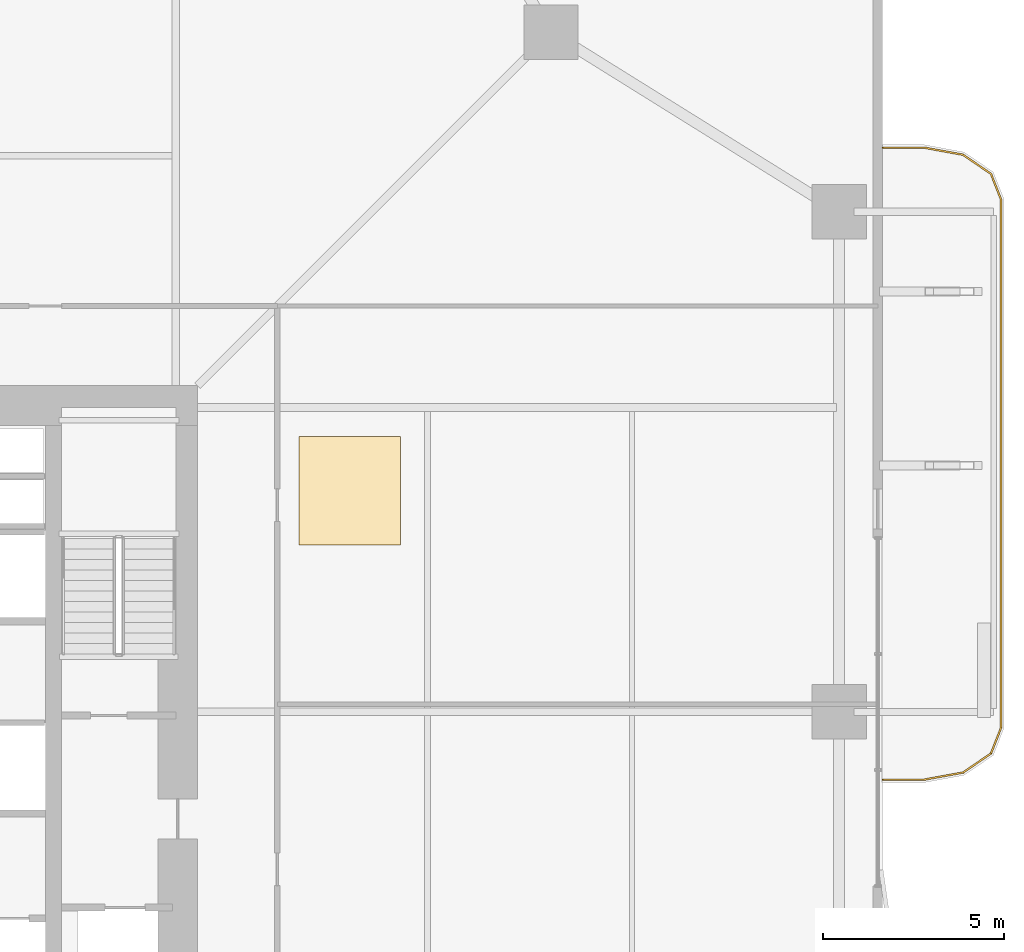
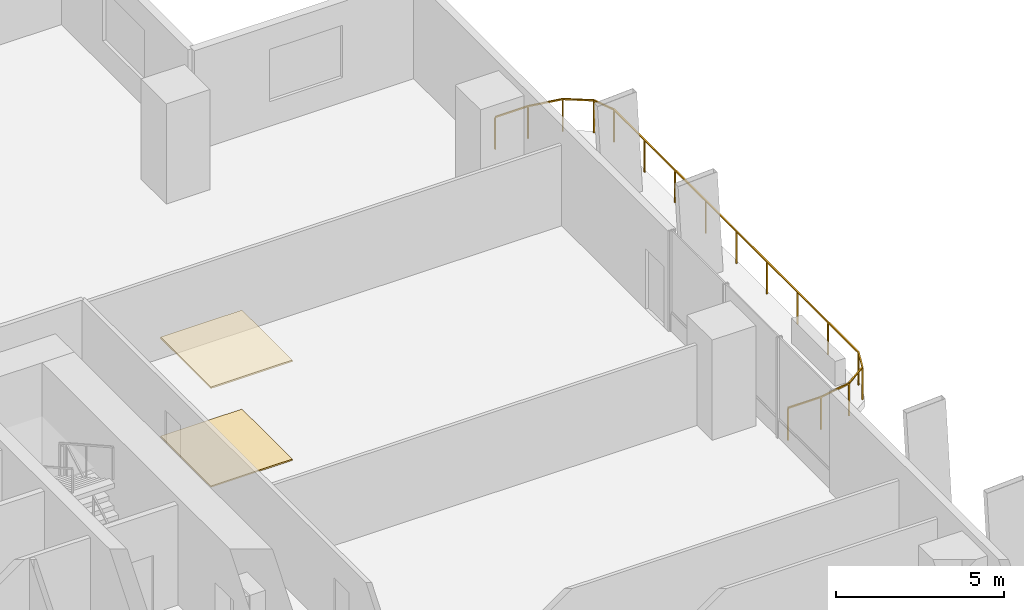
# One storey, part 23 of 23: 2 coverings, 1 railing.
"""IFC4 building model written with IfcOpenShell, lengths in metres."""

from ifc_helpers import new_model, si_unit, direction, frame, origin, origin_2d, place, context, subcontext, project, spatial, polyline, rectangle, outline, extrude, material, layer, layer_set, type_object, element, save


model = new_model("IFC4")

# Units and contexts
model_context = context("Model", 3, precision=1e-05, world=origin(), true_north=direction((0.0, 1.0)))
body_context = subcontext(model_context, "Body", "Model", "MODEL_VIEW")
ifc_project = project(units=[si_unit("LENGTHUNIT", "METRE"), si_unit("AREAUNIT", "SQUARE_METRE"), si_unit("VOLUMEUNIT", "CUBIC_METRE"), si_unit("PLANEANGLEUNIT", "RADIAN"), si_unit("MASSUNIT", "GRAM", prefix="KILO")], contexts=[model_context])

# Site, building, storey
site_placement = place(None, origin())
site = spatial("IfcSite", under=ifc_project, at=site_placement, CompositionType="ELEMENT")
building_placement = place(site_placement, origin())
building = spatial("IfcBuilding", under=site, at=building_placement, Name="Belovzor Exchange Tower", CompositionType="ELEMENT")
storey_placement = place(building_placement, frame((0.0, 0.0, 57.300048828125)))
storey = spatial("IfcBuildingStorey", under=building, at=storey_placement, Name="L13", CompositionType="ELEMENT", Elevation=57.300048828125)

# Railing
ifc_material_1 = material(Name="Stainless Steel and Laminated Safety Glass", Category="steel")
railing_type = type_object("IfcRailingType", Name="Laminated Glass & Stainless Steel Balcony Balustrade 1200", PredefinedType="BALUSTRADE", material=ifc_material_1)
railing_placement = place(storey_placement, frame((56.7099609375, 26.929931640625, 0.0)))
element("IfcRailing", 1, at=railing_placement, inside=storey, type_object=railing_type, Name="GR-1 Balcony Balustrade L13 East", PredefinedType="BALUSTRADE", context=body_context, shape_type="SweptSolid", body=[
    extrude(rectangle(XDim=0.048095703125, YDim=0.048095703125, at=origin_2d()), frame((0.0, 0.0, 1.17578125), z_axis=(1.0, 0.0, 0.0), x_axis=(0.0, 1.0, 0.0)), (0.0, 0.0, 1.0), 1.133056640625),
    extrude(rectangle(XDim=0.048095703125, YDim=0.048095703125, at=origin_2d()), frame((1.133056640625, 0.0, 1.17578125), z_axis=(0.983644145941, 0.180122719713, 0.0), x_axis=(-0.180122719713, 0.983644145941, 0.0)), (0.0, 0.0, 1.0), 1.09375),
    extrude(rectangle(XDim=0.048095703125, YDim=0.048095703125, at=origin_2d()), frame((2.208984375, 0.197021484375, 1.17578125), z_axis=(0.826493025367, 0.56294695933, 0.0), x_axis=(-0.56294695933, 0.826493025367, 0.0)), (0.0, 0.0, 1.0), 0.932861328125),
    extrude(rectangle(XDim=0.048095703125, YDim=0.048095703125, at=origin_2d()), frame((2.97998046875, 0.72216796875, 1.17578125), z_axis=(0.365612923861, 0.930766990125, 0.0), x_axis=(-0.930766990125, 0.365612923861, 0.0)), (0.0, 0.0, 1.0), 0.765869140625),
    extrude(rectangle(XDim=0.048095703125, YDim=0.048095703125, at=origin_2d()), frame((3.260009765625, 1.43505859375, 1.17578125), z_axis=(0.0, 1.0, 0.0), x_axis=(-1.0, 0.0, 0.0)), (0.0, 0.0, 1.0), 14.570068359375),
    extrude(rectangle(XDim=0.048095703125, YDim=0.048095703125, at=origin_2d()), frame((3.260009765625, 16.005126953125, 1.17578125), z_axis=(-0.365612923861, 0.930766990125, 0.0), x_axis=(-0.930766990125, -0.365612923861, 0.0)), (0.0, 0.0, 1.0), 0.765869140625),
    extrude(rectangle(XDim=0.048095703125, YDim=0.048095703125, at=origin_2d()), frame((2.97998046875, 16.718017578125, 1.17578125), z_axis=(-0.826493025367, 0.56294695933, 0.0), x_axis=(-0.56294695933, -0.826493025367, 0.0)), (0.0, 0.0, 1.0), 0.932861328125),
    extrude(rectangle(XDim=0.048095703125, YDim=0.048095703125, at=origin_2d()), frame((2.208984375, 17.2431640625, 1.17578125), z_axis=(-0.983644145941, 0.180122719713, 0.0), x_axis=(-0.180122719713, -0.983644145941, 0.0)), (0.0, 0.0, 1.0), 1.09375),
    extrude(rectangle(XDim=0.048095703125, YDim=0.048095703125, at=origin_2d()), frame((1.133056640625, 17.440185546875, 1.17578125), z_axis=(-1.0, 0.0, 0.0), x_axis=(0.0, -1.0, 0.0)), (0.0, 0.0, 1.0), 1.133056640625),
    extrude(rectangle(XDim=0.0419921875, YDim=0.0419921875, at=origin_2d()), origin(), (0.0, 0.0, 1.0), 1.15185546875),
    extrude(rectangle(XDim=0.0419921875, YDim=0.0419921875, at=origin_2d()), frame((1.133056640625, 0.0, 0.0)), (0.0, 0.0, 1.0), 1.15185546875),
    extrude(rectangle(XDim=0.0419921875, YDim=0.0419921875, at=origin_2d()), frame((2.208984375, 0.197021484375, 0.0)), (0.0, 0.0, 1.0), 1.15185546875),
    extrude(rectangle(XDim=0.0419921875, YDim=0.0419921875, at=origin_2d()), frame((2.97998046875, 0.72216796875, 0.0)), (0.0, 0.0, 1.0), 1.15185546875),
    extrude(rectangle(XDim=0.0419921875, YDim=0.0419921875, at=origin_2d()), frame((3.260009765625, 1.43505859375, 0.0)), (0.0, 0.0, 1.0), 1.15185546875),
    extrude(rectangle(XDim=0.0419921875, YDim=0.0419921875, at=origin_2d()), frame((3.260009765625, 3.25634765625, 0.0)), (0.0, 0.0, 1.0), 1.15185546875),
    extrude(rectangle(XDim=0.0419921875, YDim=0.0419921875, at=origin_2d()), frame((3.260009765625, 5.07763671875, 0.0)), (0.0, 0.0, 1.0), 1.15185546875),
    extrude(rectangle(XDim=0.0419921875, YDim=0.0419921875, at=origin_2d()), frame((3.260009765625, 6.89892578125, 0.0)), (0.0, 0.0, 1.0), 1.15185546875),
    extrude(rectangle(XDim=0.0419921875, YDim=0.0419921875, at=origin_2d()), frame((3.260009765625, 8.72021484375, 0.0)), (0.0, 0.0, 1.0), 1.15185546875),
    extrude(rectangle(XDim=0.0419921875, YDim=0.0419921875, at=origin_2d()), frame((3.260009765625, 10.541259765625, 0.0)), (0.0, 0.0, 1.0), 1.15185546875),
    extrude(rectangle(XDim=0.0419921875, YDim=0.0419921875, at=origin_2d()), frame((3.260009765625, 12.362548828125, 0.0)), (0.0, 0.0, 1.0), 1.15185546875),
    extrude(rectangle(XDim=0.0419921875, YDim=0.0419921875, at=origin_2d()), frame((3.260009765625, 14.183837890625, 0.0)), (0.0, 0.0, 1.0), 1.15185546875),
    extrude(rectangle(XDim=0.0419921875, YDim=0.0419921875, at=origin_2d()), frame((3.260009765625, 16.005126953125, 0.0)), (0.0, 0.0, 1.0), 1.15185546875),
    extrude(rectangle(XDim=0.0419921875, YDim=0.0419921875, at=origin_2d()), frame((2.97998046875, 16.718017578125, 0.0)), (0.0, 0.0, 1.0), 1.15185546875),
    extrude(rectangle(XDim=0.0419921875, YDim=0.0419921875, at=origin_2d()), frame((2.208984375, 17.2431640625, 0.0)), (0.0, 0.0, 1.0), 1.15185546875),
    extrude(rectangle(XDim=0.0419921875, YDim=0.0419921875, at=origin_2d()), frame((1.133056640625, 17.440185546875, 0.0)), (0.0, 0.0, 1.0), 1.15185546875),
    extrude(rectangle(XDim=0.0419921875, YDim=0.0419921875, at=origin_2d()), frame((0.0, 17.440185546875, 0.0)), (0.0, 0.0, 1.0), 1.15185546875),
])

# Coverings
ifc_material_2 = material(Name="Perforated Powder-Coated Aluminium", Category="aluminium")
ifc_layer_1 = layer(ifc_material_2, 0.06005859375)
ifc_layer_set_1 = layer_set([ifc_layer_1], Name="Perforated Powder-Coated Aluminium")
covering_type_1 = type_object("IfcCoveringType", Name="Perforated Acoustic Metal Tile Suspended Ceiling 60", PredefinedType="CEILING", material=ifc_layer_set_1)
covering_1_placement = place(storey_placement, frame((0.0, 0.0, 3.58984375)))
element("IfcCovering", 2, at=covering_1_placement, inside=storey, type_object=covering_type_1, Name="CLG-AC60 Suspended Ceiling CLG-L13-Z2", PredefinedType="CEILING", context=body_context, shape_type="SweptSolid", body=[
    extrude(outline(polyline([(40.60009765625, 33.39990234375), (43.39990234375, 33.39990234375), (43.39990234375, 36.39990234375), (40.60009765625, 36.39990234375), (40.60009765625, 33.39990234375)])), origin(), (0.0, 0.0, 1.0), 0.06005859375),
])
ifc_material_3 = material(Name="Polished Natural Granite Tile", Category="masonry")
ifc_layer_2 = layer(ifc_material_3, 0.050048828125)
ifc_layer_set_2 = layer_set([ifc_layer_2], Name="Polished Natural Granite Tile")
covering_type_2 = type_object("IfcCoveringType", Name="Polished Karelian Granite & Raised Access Floor Finish 50", PredefinedType="FLOORING", material=ifc_layer_set_2)
covering_2_placement = place(storey_placement, origin())
element("IfcCovering", 3, at=covering_2_placement, inside=storey, type_object=covering_type_2, Name="FLR-GR50 Floor Finish FLR-L13-Z2", PredefinedType="FLOORING", context=body_context, shape_type="SweptSolid", body=[
    extrude(outline(polyline([(40.60009765625, 33.39990234375), (43.39990234375, 33.39990234375), (43.39990234375, 36.39990234375), (40.60009765625, 36.39990234375), (40.60009765625, 33.39990234375)])), origin(), (0.0, 0.0, 1.0), 0.050048828125),
])

save(model, "model.ifc")
